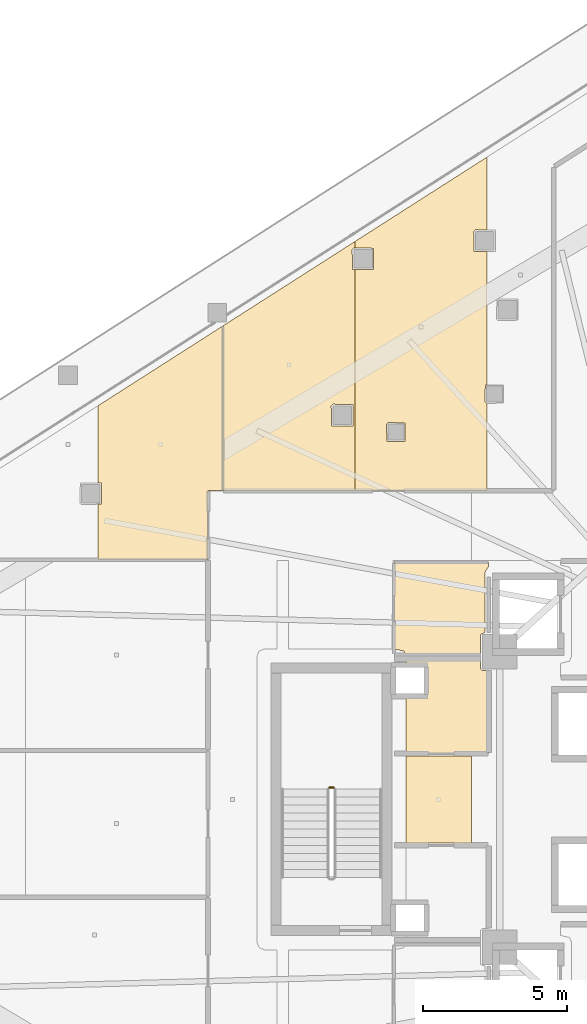
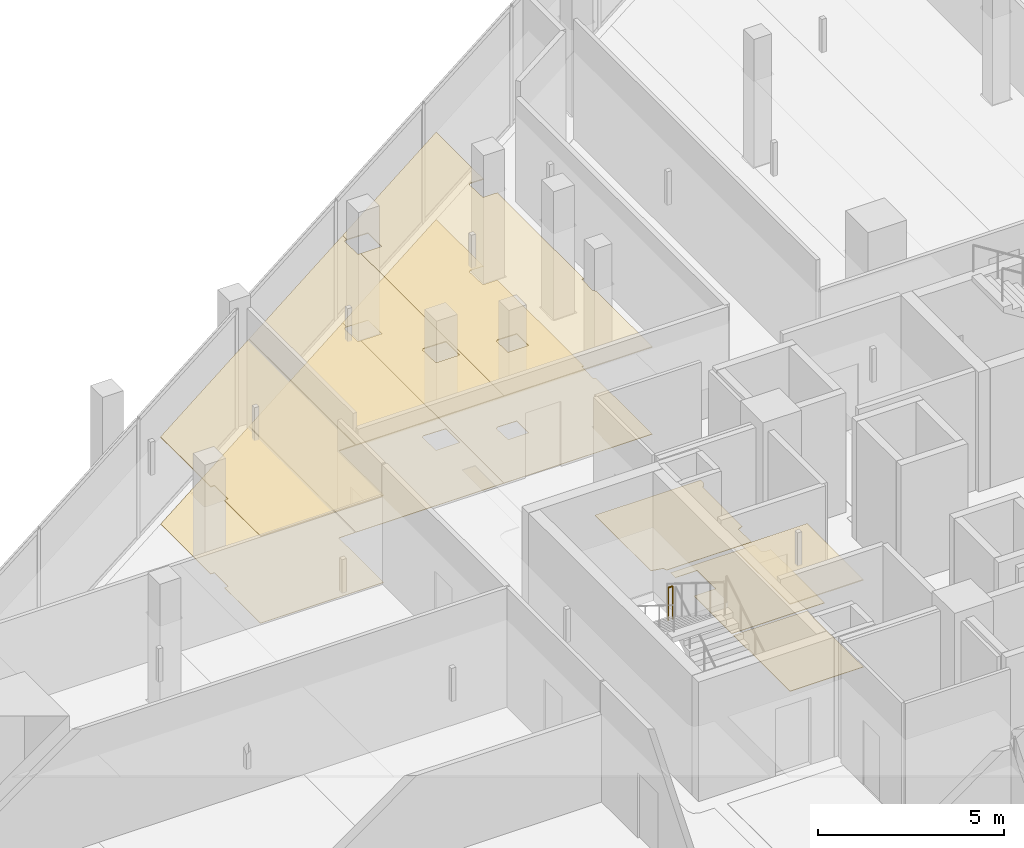
# One storey, part 41 of 44: 10 coverings, 1 railing.
"""IFC4 building model written with IfcOpenShell, lengths in metres."""

from ifc_helpers import new_model, si_unit, direction, frame, origin, origin_2d, place, context, subcontext, project, spatial, polyline, circle, outline, extrude, material, layer, layer_set, type_object, element, save


model = new_model("IFC4")

# Units and contexts
model_context = context("Model", 3, precision=1e-05, world=origin(), true_north=direction((0.0, 1.0)))
body_context = subcontext(model_context, "Body", "Model", "MODEL_VIEW")
ifc_project = project(units=[si_unit("LENGTHUNIT", "METRE"), si_unit("AREAUNIT", "SQUARE_METRE"), si_unit("VOLUMEUNIT", "CUBIC_METRE"), si_unit("PLANEANGLEUNIT", "RADIAN"), si_unit("MASSUNIT", "GRAM", prefix="KILO")], contexts=[model_context])

# Site, building, storey
site_placement = place(None, origin())
site = spatial("IfcSite", under=ifc_project, at=site_placement, CompositionType="ELEMENT")
building_placement = place(site_placement, origin())
building = spatial("IfcBuilding", under=site, at=building_placement, Name="Qorvath Tower", CompositionType="ELEMENT")
storey_placement = place(building_placement, frame((0.0, 0.0, 57.60009765625)))
storey = spatial("IfcBuildingStorey", under=building, at=storey_placement, Name="L12", CompositionType="ELEMENT", Elevation=57.60009765625)

# Coverings
ifc_material_1 = material(Name="Acoustic mineral fibre ceiling tile", Category="gypsum")
ifc_layer_1 = layer(ifc_material_1, 0.030029296875)
ifc_layer_set_1 = layer_set([ifc_layer_1], Name="COV-CEIL")
covering_type_1 = type_object("IfcCoveringType", Name="COV-CEIL", PredefinedType="CEILING", material=ifc_layer_set_1)
covering_1_placement = place(storey_placement, frame((0.0, 0.0, 2.849853515625)))
element("IfcCovering", 1, at=covering_1_placement, inside=storey, type_object=covering_type_1, Name="L12 Suspended Acoustic Ceiling 008", PredefinedType="CEILING", context=body_context, shape_type="SweptSolid", body=[
    extrude(outline(polyline([(-31.481689453125, -1.514892578125), (-31.481689453125, 1.514892578125), (-33.760009765625, 1.514892578125), (-33.760009765625, -1.514892578125), (-31.481689453125, -1.514892578125)])), origin(), (0.0, 0.0, 1.0), 0.030029296875),
])
covering_2_placement = place(storey_placement, frame((0.0, 0.0, 2.849853515625)))
element("IfcCovering", 2, at=covering_2_placement, inside=storey, type_object=covering_type_1, Name="L12 Suspended Acoustic Ceiling 011", PredefinedType="CEILING", context=body_context, shape_type="SweptSolid", body=[
    extrude(outline(polyline([(-40.151123046875, 10.762939453125), (-40.151123046875, 16.485595703125), (-44.486083984375, 13.715087890625), (-44.486083984375, 11.019775390625), (-44.368896484375, 11.019775390625), (-44.368896484375, 10.284912109375), (-44.486083984375, 10.281982421875), (-44.486083984375, 8.35498046875), (-40.6630859375, 8.35498046875), (-40.6630859375, 10.758056640625), (-40.151123046875, 10.762939453125)])), origin(), (0.0, 0.0, 1.0), 0.030029296875),
])
covering_3_placement = place(storey_placement, frame((0.0, 0.0, 2.849853515625)))
element("IfcCovering", 3, at=covering_3_placement, inside=storey, type_object=covering_type_1, Name="L12 Suspended Acoustic Ceiling 012", PredefinedType="CEILING", context=body_context, shape_type="SweptSolid", body=[
    extrude(outline(polyline([(-35.536865234375, 10.762939453125), (-35.536865234375, 18.4619140625), (-35.619140625, 18.4619140625), (-35.63671875, 19.154296875), (-35.57666015625, 19.21435546875), (-35.536865234375, 19.21337890625), (-35.536865234375, 19.4345703125), (-40.133056640625, 16.4970703125), (-40.133056640625, 10.762939453125), (-35.536865234375, 10.762939453125)]), holes=[polyline([(-36.36572265625, 13.705810546875), (-36.3056640625, 13.765869140625), (-35.61328125, 13.748291015625), (-35.61328125, 13.013427734375), (-36.34814453125, 13.013427734375), (-36.36572265625, 13.705810546875)])]), origin(), (0.0, 0.0, 1.0), 0.030029296875),
])
covering_4_placement = place(storey_placement, frame((0.0, 0.0, 2.849853515625)))
element("IfcCovering", 4, at=covering_4_placement, inside=storey, type_object=covering_type_1, Name="L12 Suspended Acoustic Ceiling 013", PredefinedType="CEILING", context=body_context, shape_type="SweptSolid", body=[
    extrude(outline(polyline([(-30.94091796875, 10.762939453125), (-30.94091796875, 13.78955078125), (-30.9521484375, 13.789306640625), (-31.01220703125, 13.849365234375), (-30.99462890625, 14.441650390625), (-30.94091796875, 14.441650390625), (-30.94091796875, 19.093017578125), (-31.383544921875, 19.093017578125), (-31.401123046875, 19.785400390625), (-31.341064453125, 19.845458984375), (-30.94091796875, 19.835205078125), (-30.94091796875, 22.372314453125), (-35.536865234375, 19.4345703125), (-35.536865234375, 19.21337890625), (-34.88427734375, 19.19677734375), (-34.88427734375, 18.4619140625), (-35.536865234375, 18.4619140625), (-35.536865234375, 10.762939453125), (-30.94091796875, 10.762939453125)]), holes=[polyline([(-34.439208984375, 13.0673828125), (-34.379150390625, 13.12744140625), (-33.786865234375, 13.10986328125), (-33.786865234375, 12.47509765625), (-34.421630859375, 12.47509765625), (-34.439208984375, 13.0673828125)])]), origin(), (0.0, 0.0, 1.0), 0.030029296875),
])
ifc_material_2 = material(Name="Low-VOC modular carpet tile", Category="textile")
ifc_layer_2 = layer(ifc_material_2, 0.014892578125)
ifc_layer_set_2 = layer_set([ifc_layer_2], Name="COV-FLOOR-CPT")
covering_type_2 = type_object("IfcCoveringType", Name="COV-FLOOR-CPT", PredefinedType="FLOORING", material=ifc_layer_set_2)
covering_5_placement = place(storey_placement, origin())
element("IfcCovering", 5, at=covering_5_placement, inside=storey, type_object=covering_type_2, Name="L12 Floor Finish 004", PredefinedType="FLOORING", context=body_context, shape_type="SweptSolid", body=[
    extrude(outline(polyline([(-31.159912109375, 4.89501953125), (-33.760009765625, 4.89501953125), (-33.760009765625, 4.633056640625), (-33.08837890625, 4.631591796875), (-33.0869140625, 3.64208984375), (-33.760009765625, 3.636962890625), (-33.760009765625, 1.60498046875), (-30.885009765625, 1.60498046875), (-30.885009765625, 4.489990234375), (-31.10009765625, 4.489990234375), (-31.159912109375, 4.550048828125), (-31.159912109375, 4.89501953125)])), origin(), (0.0, 0.0, 1.0), 0.014892578125),
])
covering_6_placement = place(storey_placement, origin())
element("IfcCovering", 6, at=covering_6_placement, inside=storey, type_object=covering_type_2, Name="L12 Floor Finish 011", PredefinedType="FLOORING", context=body_context, shape_type="SweptSolid", body=[
    extrude(outline(polyline([(-40.151123046875, 10.762939453125), (-40.151123046875, 16.485595703125), (-44.486083984375, 13.715087890625), (-44.486083984375, 11.019775390625), (-44.368896484375, 11.019775390625), (-44.368896484375, 10.284912109375), (-44.486083984375, 10.281982421875), (-44.486083984375, 8.35498046875), (-40.6630859375, 8.35498046875), (-40.6630859375, 10.758056640625), (-40.151123046875, 10.762939453125)])), origin(), (0.0, 0.0, 1.0), 0.014892578125),
])
covering_7_placement = place(storey_placement, origin())
element("IfcCovering", 7, at=covering_7_placement, inside=storey, type_object=covering_type_2, Name="L12 Floor Finish 012", PredefinedType="FLOORING", context=body_context, shape_type="SweptSolid", body=[
    extrude(outline(polyline([(-35.536865234375, 10.762939453125), (-35.536865234375, 18.4619140625), (-35.619140625, 18.4619140625), (-35.63671875, 19.154296875), (-35.57666015625, 19.21435546875), (-35.536865234375, 19.21337890625), (-35.536865234375, 19.4345703125), (-40.133056640625, 16.4970703125), (-40.133056640625, 10.762939453125), (-35.536865234375, 10.762939453125)]), holes=[polyline([(-36.36572265625, 13.705810546875), (-36.3056640625, 13.765869140625), (-35.61328125, 13.748291015625), (-35.61328125, 13.013427734375), (-36.34814453125, 13.013427734375), (-36.36572265625, 13.705810546875)])]), origin(), (0.0, 0.0, 1.0), 0.014892578125),
])
covering_8_placement = place(storey_placement, origin())
element("IfcCovering", 8, at=covering_8_placement, inside=storey, type_object=covering_type_2, Name="L12 Floor Finish 013", PredefinedType="FLOORING", context=body_context, shape_type="SweptSolid", body=[
    extrude(outline(polyline([(-30.94091796875, 10.762939453125), (-30.94091796875, 13.78955078125), (-30.9521484375, 13.789306640625), (-31.01220703125, 13.849365234375), (-30.99462890625, 14.441650390625), (-30.94091796875, 14.441650390625), (-30.94091796875, 19.093017578125), (-31.383544921875, 19.093017578125), (-31.401123046875, 19.785400390625), (-31.341064453125, 19.845458984375), (-30.94091796875, 19.835205078125), (-30.94091796875, 22.372314453125), (-35.536865234375, 19.4345703125), (-35.536865234375, 19.21337890625), (-34.88427734375, 19.19677734375), (-34.88427734375, 18.4619140625), (-35.536865234375, 18.4619140625), (-35.536865234375, 10.762939453125), (-30.94091796875, 10.762939453125)]), holes=[polyline([(-34.439208984375, 13.0673828125), (-34.379150390625, 13.12744140625), (-33.786865234375, 13.10986328125), (-33.786865234375, 12.47509765625), (-34.421630859375, 12.47509765625), (-34.439208984375, 13.0673828125)])]), origin(), (0.0, 0.0, 1.0), 0.014892578125),
])
ifc_material_3 = material(Name="Polished epoxy terrazzo flooring", Category="concrete")
ifc_layer_3 = layer(ifc_material_3, 0.02001953125)
ifc_layer_set_3 = layer_set([ifc_layer_3], Name="COV-FLOOR-TRZ")
covering_type_3 = type_object("IfcCoveringType", Name="COV-FLOOR-TRZ", PredefinedType="FLOORING", material=ifc_layer_set_3)
covering_9_placement = place(storey_placement, origin())
element("IfcCovering", 9, at=covering_9_placement, inside=storey, type_object=covering_type_3, Name="L12 Floor Finish 003", PredefinedType="FLOORING", context=body_context, shape_type="SweptSolid", body=[
    extrude(outline(polyline([(-31.010009765625, 7.909912109375), (-30.885009765625, 8.108154296875), (-30.885009765625, 8.2451171875), (-34.175048828125, 8.2451171875), (-34.175048828125, 5.239990234375), (-33.833251953125, 5.166748046875), (-33.786865234375, 5.054931640625), (-31.159912109375, 5.054931640625), (-31.159912109375, 5.75), (-31.010009765625, 5.81005859375), (-31.010009765625, 7.909912109375)])), origin(), (0.0, 0.0, 1.0), 0.014892578125),
])
covering_10_placement = place(storey_placement, origin())
element("IfcCovering", 10, at=covering_10_placement, inside=storey, type_object=covering_type_3, Name="L12 Floor Finish 008", PredefinedType="FLOORING", context=body_context, shape_type="SweptSolid", body=[
    extrude(outline(polyline([(-31.481689453125, -1.514892578125), (-31.481689453125, 1.514892578125), (-33.760009765625, 1.514892578125), (-33.760009765625, -1.514892578125), (-31.481689453125, -1.514892578125)])), origin(), (0.0, 0.0, 1.0), 0.014892578125),
])

# Railing
ifc_material_4 = material(Name="Painted galvanised steel", Category="steel")
railing_type = type_object("IfcRailingType", Name="RL-STR-GRD", PredefinedType="GUARDRAIL", material=ifc_material_4)
railing_placement = place(storey_placement, frame((-36.280029296875, 0.409912109375, 2.099853515625)))
element("IfcRailing", 11, at=railing_placement, inside=storey, type_object=railing_type, Name="L12 TS3 stair guard 2", PredefinedType="GUARDRAIL", context=body_context, shape_type="SweptSolid", body=[
    extrude(circle(Radius=0.02392578125, at=origin_2d()), frame((0.0, 0.0, 1.076171875), z_axis=(-1.0, 0.0, 0.0), x_axis=(0.0, -1.0, 0.0)), (0.0, 0.0, 1.0), 0.14990234375),
    extrude(circle(Radius=0.02099609375, at=origin_2d()), origin(), (0.0, 0.0, 1.0), 1.052001953125),
    extrude(circle(Radius=0.02099609375, at=origin_2d()), frame((-0.14990234375, 0.0, 0.0)), (0.0, 0.0, 1.0), 1.052001953125),
])

save(model, "model.ifc")
